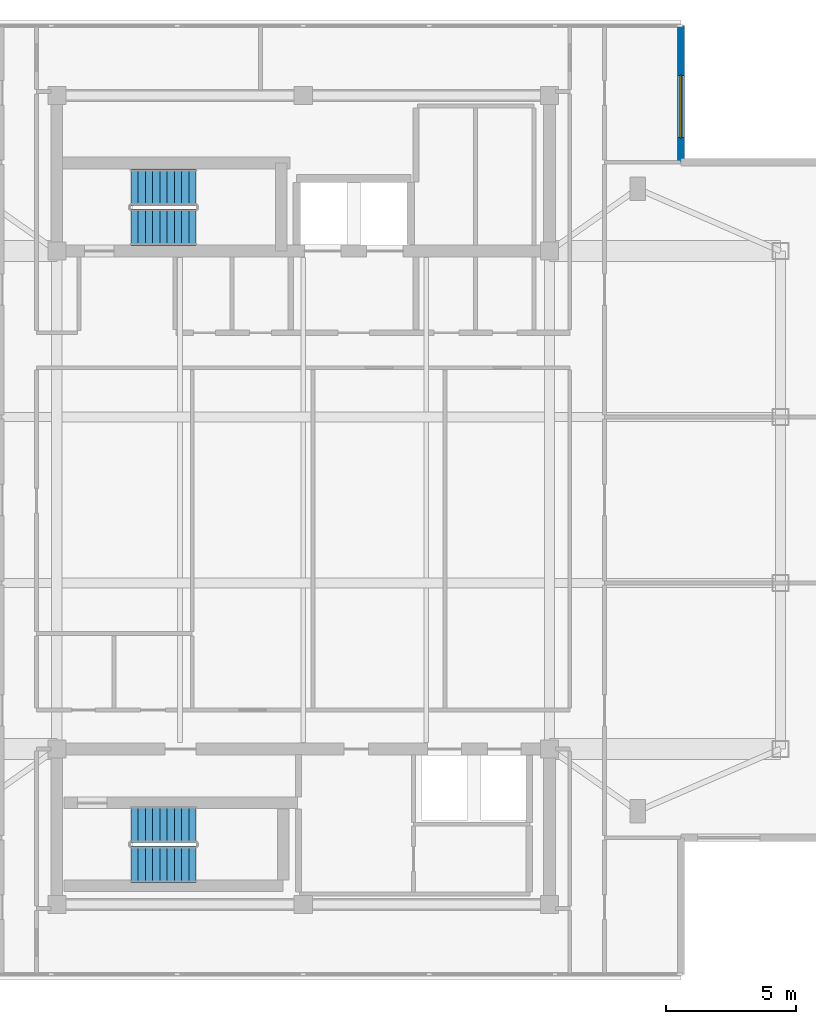
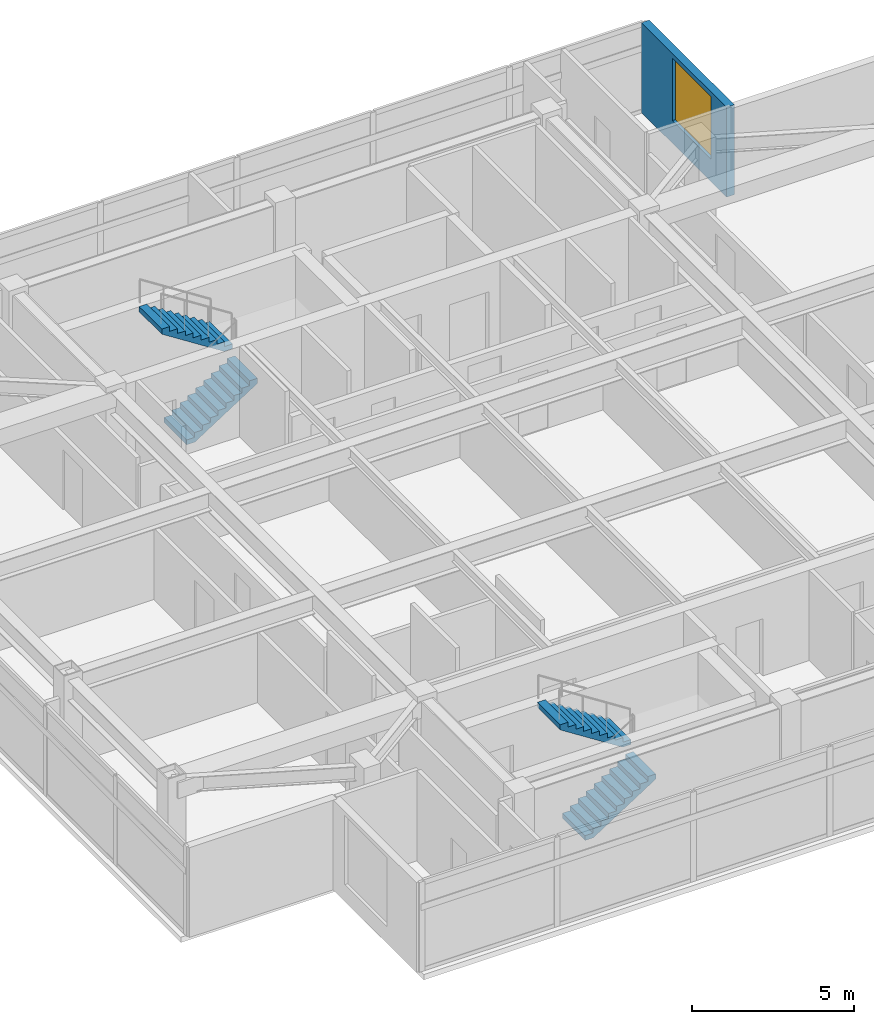
# One storey, part 7 of 10: 4 stair flights, 1 wall, 1 window, 1 opening, 2 elements without a shape of their own.
"""IFC4 building model written with IfcOpenShell, lengths in metres."""

from ifc_helpers import new_model, si_unit, direction, frame, frame_2d, origin, place, context, subcontext, project, spatial, polyline, rectangle, outline, extrude, material, layer, layer_set, type_object, element, fill, aggregate, save


model = new_model("IFC4")

# Units and contexts
model_context = context("Model", 3, precision=1e-05, world=origin(), true_north=direction((0.0, 1.0)))
body_context = subcontext(model_context, "Body", "Model", "MODEL_VIEW")
ifc_project = project(units=[si_unit("LENGTHUNIT", "METRE"), si_unit("AREAUNIT", "SQUARE_METRE"), si_unit("VOLUMEUNIT", "CUBIC_METRE"), si_unit("PLANEANGLEUNIT", "RADIAN"), si_unit("MASSUNIT", "GRAM", prefix="KILO")], contexts=[model_context])

# Site, building, storey
site_placement = place(None, origin())
site = spatial("IfcSite", under=ifc_project, at=site_placement, CompositionType="ELEMENT")
building_placement = place(site_placement, origin())
building = spatial("IfcBuilding", under=site, at=building_placement, Name="Mirazonda Arch Towers", CompositionType="ELEMENT")
storey_placement = place(building_placement, frame((0.0, 0.0, 249.10009765625)))
storey = spatial("IfcBuildingStorey", under=building, at=storey_placement, Name="L71", CompositionType="ELEMENT", Elevation=249.10009765625)

# Wall, opening, window
ifc_material_1 = material(Name="Precast Concrete C40/50", Category="concrete")
ifc_layer = layer(ifc_material_1, 0.280029296875, Name="WALL-EXT-WALL-280")
ifc_layer_set = layer_set([ifc_layer], Name="Precast Concrete C40/50")
wall_type = type_object("IfcWallType", Name="WALL-EXT-WALL-280", PredefinedType="SOLIDWALL", material=ifc_layer_set)
wall_placement = place(storey_placement, frame((35.06494140625, 41.02490234375, 0.0), z_axis=(0.0, 0.0, 1.0), x_axis=(0.0, 1.0, 0.0)))
wall = element("IfcWall", 1, at=wall_placement, inside=storey, type_object=wall_type, Name="L71 T1 Notched NE Corner Wall WL-L71-T1-CNE", PredefinedType="SOLIDWALL", context=body_context, shape_type="SweptSolid", body=[
    extrude(rectangle(XDim=5.26513671875, YDim=0.280029296875, at=frame_2d((2.632568359375, 0.0))), origin(), (0.0, 0.0, 1.0), 3.3798828125),
])
opening_placement = place(wall_placement, frame((0.949951171875, 0.0, 0.85009765625)))
opening = element("IfcOpeningElement", 2, at=opening_placement, cuts=wall, Name="Opening WN-121", PredefinedType="OPENING", context=body_context, shape_type="SweptSolid", body=[
    extrude(rectangle(XDim=2.39990234375, YDim=2.35009765625, at=frame_2d((1.199951171875, 1.175048828125))), frame((0.0, 0.14990234375, 0.0), z_axis=(0.0, -1.0, 0.0), x_axis=(1.0, 0.0, 0.0)), (0.0, 0.0, 1.0), 0.300048828125),
])
ifc_material_2 = material(Name="Insulated Low-E Solar Glass", Category="glass")
window_type = type_object("IfcWindowType", Name="WIN-PENT-2400x2350", PartitioningType="SINGLE_PANEL", PredefinedType="WINDOW", material=ifc_material_2)
window_placement = place(opening_placement, origin())
window = element("IfcWindow", 3, at=window_placement, inside=storey, type_object=window_type, Name="L71 Punched Facade Window WN-L71-T1-CNE", OverallHeight=2.35009765625, OverallWidth=2.39990234375, PartitioningType="SINGLE_PANEL", PredefinedType="WINDOW", context=body_context, shape_type="SweptSolid", body=[
    extrude(rectangle(XDim=2.39990234375, YDim=2.35009765625, at=frame_2d((1.199951171875, 1.175048828125))), frame((0.0, 0.030029296875, 0.0), z_axis=(0.0, -1.0, 0.0), x_axis=(1.0, 0.0, 0.0)), (0.0, 0.0, 1.0), 0.06005859375),
])
fill(opening, window)

# Stair, stair flights
ifc_material_3 = material(Name="Concrete C40/50", Category="concrete")
stair_type = type_object("IfcStairType", Name="STAIR-CORE-1400", PredefinedType="HALF_TURN_STAIR", material=ifc_material_3)
stair_1_placement = place(storey_placement, origin())
stair_1 = element("IfcStair", 4, at=stair_1_placement, inside=storey, type_object=stair_type, Name="L71 Protected Exit Stair ST-T1N", PredefinedType="HALF_TURN_STAIR")
stair_flight_type = type_object("IfcStairFlightType", Name="FLIGHT-1400", PredefinedType="STRAIGHT", material=ifc_material_3)
stair_flight_1_placement = place(storey_placement, frame((13.85009765625, 38.52001953125, 0.0), z_axis=(0.0, 0.0, 1.0), x_axis=(1.0, 0.0, 0.0)))
stair_flight_1 = element("IfcStairFlight", 5, at=stair_flight_1_placement, type_object=stair_flight_type, Name="ST-T1N flight 1", NumberOfRisers=10, NumberOfTreads=9, PredefinedType="STRAIGHT", RiserHeight=0.18, TreadLength=0.28, context=body_context, shape_type="SweptSolid", body=[
    extrude(outline(polyline([(0.0, 0.0), (0.0, 0.179931640625), (0.280029296875, 0.179931640625), (0.280029296875, 0.360107421875), (0.56005859375, 0.360107421875), (0.56005859375, 0.5400390625), (0.840087890625, 0.5400390625), (0.840087890625, 0.719970703125), (1.1201171875, 0.719970703125), (1.1201171875, 0.89990234375), (1.39990234375, 0.89990234375), (1.39990234375, 1.080078125), (1.679931640625, 1.080078125), (1.679931640625, 1.260009765625), (1.9599609375, 1.260009765625), (1.9599609375, 1.43994140625), (2.239990234375, 1.43994140625), (2.239990234375, 1.6201171875), (2.52001953125, 1.6201171875), (2.52001953125, 1.800048828125), (2.52001953125, 1.429931640625), (0.295654296875, 0.0), (0.0, 0.0)])), frame((0.0, 0.699951171875, 0.0), z_axis=(0.0, -1.0, 0.0), x_axis=(1.0, 0.0, 0.0)), (0.0, 0.0, 1.0), 1.39990234375),
])
stair_flight_2_placement = place(storey_placement, frame((16.3701171875, 40.06005859375, 1.7998046875), z_axis=(0.0, 0.0, 1.0), x_axis=(-1.0, 0.0, 0.0)))
stair_flight_2 = element("IfcStairFlight", 6, at=stair_flight_2_placement, type_object=stair_flight_type, Name="ST-T1N flight 2", NumberOfRisers=10, NumberOfTreads=9, PredefinedType="STRAIGHT", RiserHeight=0.18, TreadLength=0.28, context=body_context, shape_type="SweptSolid", body=[
    extrude(outline(polyline([(0.0, 0.0), (0.0, 0.179931640625), (0.280029296875, 0.179931640625), (0.280029296875, 0.360107421875), (0.56005859375, 0.360107421875), (0.56005859375, 0.5400390625), (0.840087890625, 0.5400390625), (0.840087890625, 0.719970703125), (1.1201171875, 0.719970703125), (1.1201171875, 0.89990234375), (1.39990234375, 0.89990234375), (1.39990234375, 1.080078125), (1.679931640625, 1.080078125), (1.679931640625, 1.260009765625), (1.9599609375, 1.260009765625), (1.9599609375, 1.43994140625), (2.239990234375, 1.43994140625), (2.239990234375, 1.6201171875), (2.52001953125, 1.6201171875), (2.52001953125, 1.800048828125), (2.52001953125, 1.429931640625), (0.295654296875, 0.0), (0.0, 0.0)])), frame((0.0, 0.699951171875, 0.0), z_axis=(0.0, -1.0, 0.0), x_axis=(1.0, 0.0, 0.0)), (0.0, 0.0, 1.0), 1.39990234375),
])
aggregate(stair_1, [stair_flight_1, stair_flight_2])

stair_2_placement = place(storey_placement, origin())
stair_2 = element("IfcStair", 7, at=stair_2_placement, inside=storey, type_object=stair_type, Name="L71 Protected Exit Stair ST-T1S", PredefinedType="HALF_TURN_STAIR")
stair_flight_3_placement = place(storey_placement, frame((13.85009765625, 13.949951171875, 0.0), z_axis=(0.0, 0.0, 1.0), x_axis=(1.0, 0.0, 0.0)))
stair_flight_3 = element("IfcStairFlight", 8, at=stair_flight_3_placement, type_object=stair_flight_type, Name="ST-T1S flight 1", NumberOfRisers=10, NumberOfTreads=9, PredefinedType="STRAIGHT", RiserHeight=0.18, TreadLength=0.28, context=body_context, shape_type="SweptSolid", body=[
    extrude(outline(polyline([(0.0, 0.0), (0.0, 0.179931640625), (0.280029296875, 0.179931640625), (0.280029296875, 0.360107421875), (0.56005859375, 0.360107421875), (0.56005859375, 0.5400390625), (0.840087890625, 0.5400390625), (0.840087890625, 0.719970703125), (1.1201171875, 0.719970703125), (1.1201171875, 0.89990234375), (1.39990234375, 0.89990234375), (1.39990234375, 1.080078125), (1.679931640625, 1.080078125), (1.679931640625, 1.260009765625), (1.9599609375, 1.260009765625), (1.9599609375, 1.43994140625), (2.239990234375, 1.43994140625), (2.239990234375, 1.6201171875), (2.52001953125, 1.6201171875), (2.52001953125, 1.800048828125), (2.52001953125, 1.429931640625), (0.295654296875, 0.0), (0.0, 0.0)])), frame((0.0, 0.699951171875, 0.0), z_axis=(0.0, -1.0, 0.0), x_axis=(1.0, 0.0, 0.0)), (0.0, 0.0, 1.0), 1.39990234375),
])
stair_flight_4_placement = place(storey_placement, frame((16.3701171875, 15.489990234375, 1.7998046875), z_axis=(0.0, 0.0, 1.0), x_axis=(-1.0, 0.0, 0.0)))
stair_flight_4 = element("IfcStairFlight", 9, at=stair_flight_4_placement, type_object=stair_flight_type, Name="ST-T1S flight 2", NumberOfRisers=10, NumberOfTreads=9, PredefinedType="STRAIGHT", RiserHeight=0.18, TreadLength=0.28, context=body_context, shape_type="SweptSolid", body=[
    extrude(outline(polyline([(0.0, 0.0), (0.0, 0.179931640625), (0.280029296875, 0.179931640625), (0.280029296875, 0.360107421875), (0.56005859375, 0.360107421875), (0.56005859375, 0.5400390625), (0.840087890625, 0.5400390625), (0.840087890625, 0.719970703125), (1.1201171875, 0.719970703125), (1.1201171875, 0.89990234375), (1.39990234375, 0.89990234375), (1.39990234375, 1.080078125), (1.679931640625, 1.080078125), (1.679931640625, 1.260009765625), (1.9599609375, 1.260009765625), (1.9599609375, 1.43994140625), (2.239990234375, 1.43994140625), (2.239990234375, 1.6201171875), (2.52001953125, 1.6201171875), (2.52001953125, 1.800048828125), (2.52001953125, 1.429931640625), (0.295654296875, 0.0), (0.0, 0.0)])), frame((0.0, 0.699951171875, 0.0), z_axis=(0.0, -1.0, 0.0), x_axis=(1.0, 0.0, 0.0)), (0.0, 0.0, 1.0), 1.39990234375),
])
aggregate(stair_2, [stair_flight_3, stair_flight_4])

save(model, "model.ifc")
